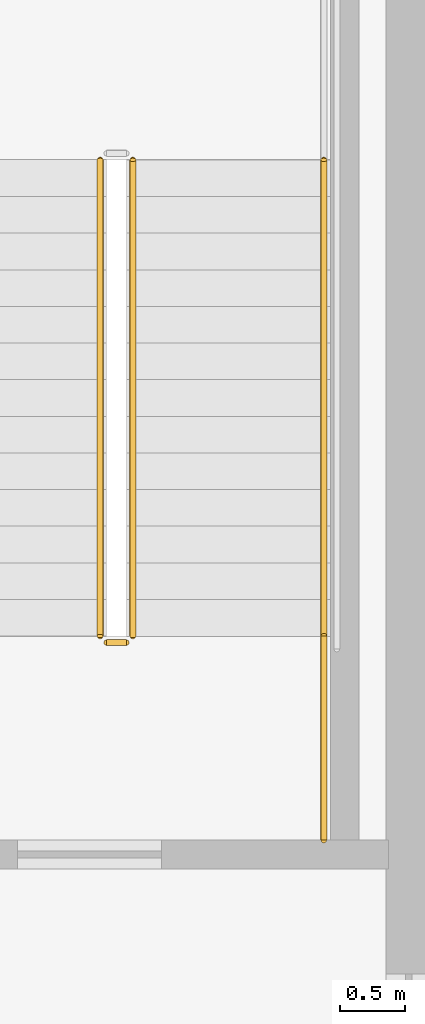
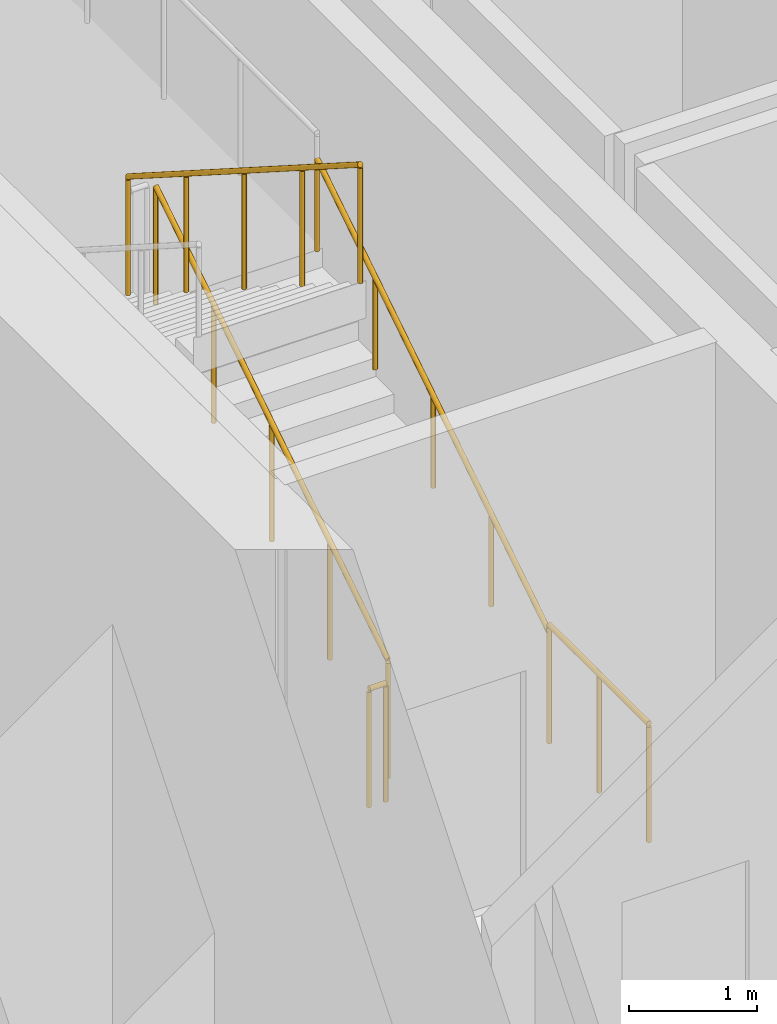
# One storey, part 17 of 21: 5 railings.
"""IFC4 building model written with IfcOpenShell, lengths in metres."""

import ifcopenshell
import ifcopenshell.guid

model = None  # the IFC model being written
_history = None  # IfcOwnerHistory: only IFC2X3 demands one
_inside = {}  # id of a spatial element -> (the spatial element, [elements in it])
_under = {}  # id of a project, library or spatial element -> (it, [spatial elements below it])
_declared = {}  # id of a project -> (the project, [libraries it declares])
_typed = {}  # id of a type object -> (the type object, [elements of that type])
_made_of = {}  # id of a material, layer set ... -> (it, [elements and type objects made of it])


def new_model(schema):
    """Start an empty IFC model of exactly this schema.

    Asked for "IFC4X3", IfcOpenShell would pick the latest addendum, in which some entities
    have other attributes; the version numbers below select the first issue.
    IFC2X3 requires an IfcOwnerHistory on every rooted entity: one is made here for all.
    """
    global model, _history
    if schema == "IFC4X3":
        model = ifcopenshell.file(schema_version=(4, 3, 0, 0))
    else:
        model = ifcopenshell.file(schema=schema)
    _inside.clear()
    _under.clear()
    _declared.clear()
    _typed.clear()
    _made_of.clear()
    _history = None
    if model.schema == "IFC2X3":
        org = make("IfcOrganization", Name="unknown")
        user = make(
            "IfcPersonAndOrganization",
            ThePerson=make("IfcPerson", FamilyName="unknown"),
            TheOrganization=org,
        )
        app = make(
            "IfcApplication",
            ApplicationDeveloper=org,
            Version="unknown",
            ApplicationFullName="unknown",
            ApplicationIdentifier="unknown",
        )
        _history = make(
            "IfcOwnerHistory",
            OwningUser=user,
            OwningApplication=app,
            ChangeAction="ADDED",
            CreationDate=0,
        )
    return model


def make(cls, **values):
    """One entity of the class cls with the attributes given. An attribute that is None is left unset."""
    return model.create_entity(
        cls, **{name: value for name, value in values.items() if value is not None}
    )


def rooted(cls, **values):
    """An entity with a GlobalId (a new one), such as an element, a storey or a relation."""
    return make(cls, GlobalId=ifcopenshell.guid.new(), OwnerHistory=_history, **values)


def si_unit(unit_type, name, prefix=None):
    """IfcSIUnit, for example si_unit("LENGTHUNIT", "METRE", prefix="MILLI")."""
    return make("IfcSIUnit", UnitType=unit_type, Prefix=prefix, Name=name)


def assignment(units):
    """IfcUnitAssignment: the units of a project."""
    return None if units is None else make("IfcUnitAssignment", Units=units)


def point(xyz):
    """IfcCartesianPoint."""
    return None if xyz is None else make("IfcCartesianPoint", Coordinates=xyz)


def direction(xyz):
    """IfcDirection."""
    return None if xyz is None else make("IfcDirection", DirectionRatios=xyz)


def frame(location, z_axis=None, x_axis=None):
    """IfcAxis2Placement3D, a coordinate frame: its origin and axes. An axis left out is left unset."""
    return make(
        "IfcAxis2Placement3D",
        Location=point(location),
        Axis=direction(z_axis),
        RefDirection=direction(x_axis),
    )


def frame_2d(location, x_axis=None):
    """IfcAxis2Placement2D, a coordinate frame in the plane: its origin and x axis."""
    return make(
        "IfcAxis2Placement2D", Location=point(location), RefDirection=direction(x_axis)
    )


def origin():
    """The frame at (0, 0, 0) with its axes left unset."""
    return frame((0.0, 0.0, 0.0))


def origin_2d():
    """The frame at (0, 0) in the plane with its x axis left unset."""
    return frame_2d((0.0, 0.0))


def place(relative_to, where):
    """IfcLocalPlacement: puts the frame where relative to a parent placement (None: the world)."""
    return make(
        "IfcLocalPlacement", PlacementRelTo=relative_to, RelativePlacement=where
    )


def context(
    kind, dimensions, precision=None, world=None, true_north=None, identifier=None
):
    """IfcGeometricRepresentationContext, for example the 3D "Model" context."""
    return make(
        "IfcGeometricRepresentationContext",
        ContextIdentifier=identifier,
        ContextType=kind,
        CoordinateSpaceDimension=dimensions,
        Precision=precision,
        WorldCoordinateSystem=world,
        TrueNorth=true_north,
    )


def subcontext(parent, identifier, kind, view, scale=None):
    """IfcGeometricRepresentationSubContext, for example "Body" below "Model"."""
    return make(
        "IfcGeometricRepresentationSubContext",
        ContextIdentifier=identifier,
        ContextType=kind,
        ParentContext=parent,
        TargetScale=scale,
        TargetView=view,
    )


def project(units=None, contexts=None):
    """IfcProject with its units and contexts."""
    return rooted(
        "IfcProject",
        Name="project",
        RepresentationContexts=contexts,
        UnitsInContext=assignment(units),
    )


def spatial(cls, under=None, at=None, **own):
    """A site, building, storey or space (cls), placed at a placement, below another one or the project."""
    s = rooted(cls, ObjectPlacement=at, **own)
    if under is not None:
        _under.setdefault(under.id(), (under, []))[1].append(s)
    return s


def profile(cls, at=None, kind="AREA", **sizes):
    """A parametric profile (cls). Its sizes go by their IFC names, for example OverallWidth=200.0."""
    return make(cls, ProfileType=kind, Position=at, **sizes)


def circle(**sizes):
    """IfcCircleProfileDef."""
    return profile("IfcCircleProfileDef", **sizes)


def extrude(swept, where, along, depth):
    """IfcExtrudedAreaSolid: the profile swept, set in the frame where, extruded along a direction by depth."""
    return make(
        "IfcExtrudedAreaSolid",
        SweptArea=swept,
        Position=where,
        ExtrudedDirection=direction(along),
        Depth=depth,
    )


def shape(context_of_items, identifier, shape_type, items):
    """IfcShapeRepresentation: the items that make up one representation, for example the "Body"."""
    return make(
        "IfcShapeRepresentation",
        ContextOfItems=context_of_items,
        RepresentationIdentifier=identifier,
        RepresentationType=shape_type,
        Items=items,
    )


def material(Name=None, Category=None):
    """IfcMaterial."""
    return make("IfcMaterial", Name=Name, Category=Category)


def made_of(thing, what):
    """Note that an element or type object is made of a material, layer set ...; save() writes the relation."""
    if what is not None:
        _made_of.setdefault(what.id(), (what, []))[1].append(thing)
    return thing


def type_object(cls, material=None, **own):
    """A type object (cls), such as IfcWallType, which elements share."""
    return made_of(rooted(cls, **own), material)


def element(
    cls,
    number,
    at=None,
    inside=None,
    cuts=None,
    type_object=None,
    material=None,
    context=None,
    identifier="Body",
    shape_type=None,
    held_by="IfcProductDefinitionShape",
    body=None,
    shapes=None,
    **own,
):
    """One element of the class cls, such as IfcWall. Its Tag is "e" and its number.

    at: its placement. inside: the storey or other place that contains it. cuts: it is an
    opening in that element (IfcRelVoidsElement). A single representation is given by context,
    identifier, shape_type and body (its items); several are given by shapes. held_by: the class
    of the entity that holds the representations. save() writes the other relations.
    """
    e = rooted(cls, Tag="e%d" % number, ObjectPlacement=at, **own)
    if body is not None:
        shapes = [shape(context, identifier, shape_type, body)]
    if shapes is not None:
        e.Representation = make(held_by, Representations=shapes)
    if inside is not None:
        _inside.setdefault(inside.id(), (inside, []))[1].append(e)
    if cuts is not None:
        rooted(
            "IfcRelVoidsElement", RelatingBuildingElement=cuts, RelatedOpeningElement=e
        )
    if type_object is not None:
        _typed.setdefault(type_object.id(), (type_object, []))[1].append(e)
    return made_of(e, material)


def aggregate(whole, parts):
    """IfcRelAggregates: a whole, such as a stair, and the parts it consists of."""
    return rooted("IfcRelAggregates", RelatingObject=whole, RelatedObjects=parts)


def save(model, path):
    """Write the relations noted so far, then the file.

    IfcRelAggregates (storeys below a building ...), IfcRelContainedInSpatialStructure (elements
    in a storey), IfcRelDefinesByType, IfcRelAssociatesMaterial and IfcRelDeclares: one each for
    every whole, place, type object, material and project.
    """
    for whole, parts in _under.values():
        aggregate(whole, parts)
    for where, things in _inside.values():
        rooted(
            "IfcRelContainedInSpatialStructure",
            RelatedElements=things,
            RelatingStructure=where,
        )
    for kind, things in _typed.values():
        rooted("IfcRelDefinesByType", RelatedObjects=things, RelatingType=kind)
    for what, things in _made_of.values():
        rooted("IfcRelAssociatesMaterial", RelatedObjects=things, RelatingMaterial=what)
    for by, libraries in _declared.values():
        rooted("IfcRelDeclares", RelatingContext=by, RelatedDefinitions=libraries)
    model.write(path)


model = new_model("IFC4")

# Units and contexts
model_context = context("Model", 3, precision=1e-05, world=origin(), true_north=direction((0.0, 1.0)))
body_context = subcontext(model_context, "Body", "Model", "MODEL_VIEW")
ifc_project = project(units=[si_unit("LENGTHUNIT", "METRE"), si_unit("AREAUNIT", "SQUARE_METRE"), si_unit("VOLUMEUNIT", "CUBIC_METRE"), si_unit("PLANEANGLEUNIT", "RADIAN"), si_unit("MASSUNIT", "GRAM", prefix="KILO")], contexts=[model_context])

# Site, building, storey
site_placement = place(None, origin())
site = spatial("IfcSite", under=ifc_project, at=site_placement, CompositionType="ELEMENT")
building_placement = place(site_placement, origin())
building = spatial("IfcBuilding", under=site, at=building_placement, Name="Khairoan Windgate Tower", CompositionType="ELEMENT")
storey_placement = place(building_placement, frame((0.0, 0.0, 21.0)))
storey = spatial("IfcBuildingStorey", under=building, at=storey_placement, Name="L05", CompositionType="ELEMENT", Elevation=21.0)

# Railings
ifc_material_1 = material(Name="Anodised Bronze Aluminium 6063-T6", Category="aluminium")
railing_type_1 = type_object("IfcRailingType", Name="Stair Wall Handrail SHR-900", PredefinedType="HANDRAIL", material=ifc_material_1)
railing_1_placement = place(storey_placement, frame((-16.199951171875, 2.9599609375, 0.178466796875)))
element("IfcRailing", 1, at=railing_1_placement, inside=storey, type_object=railing_type_1, Name="L05 ST2 stair handrail 1", PredefinedType="HANDRAIL", context=body_context, shape_type="SweptSolid", body=[
    extrude(circle(Radius=0.02392578125, at=origin_2d()), frame((0.0, 0.0, 0.8759765625), z_axis=(0.0, 0.843127859045, 0.537713132908), x_axis=(-1.0, 0.0, 0.0)), (0.0, 0.0, 1.0), 4.3173828125),
    extrude(circle(Radius=0.02099609375, at=origin_2d()), origin(), (0.0, 0.0, 1.0), 0.851806640625),
    extrude(circle(Radius=0.02099609375, at=origin_2d()), frame((0.0, 0.91015625, 0.580322265625)), (0.0, 0.0, 1.0), 0.851806640625),
    extrude(circle(Radius=0.02099609375, at=origin_2d()), frame((0.0, 1.820068359375, 1.16064453125)), (0.0, 0.0, 1.0), 0.851806640625),
    extrude(circle(Radius=0.02099609375, at=origin_2d()), frame((0.0, 2.72998046875, 1.7412109375)), (0.0, 0.0, 1.0), 0.851806640625),
    extrude(circle(Radius=0.02099609375, at=origin_2d()), frame((0.0, 3.64013671875, 2.321533203125)), (0.0, 0.0, 1.0), 0.851806640625),
])
ifc_material_2 = material(Name="Steel S355", Category="steel")
railing_type_2 = type_object("IfcRailingType", Name="Stairwell Safety Guardrail SGR-1150", PredefinedType="GUARDRAIL", material=ifc_material_2)
railing_2_placement = place(storey_placement, frame((-17.659912109375, 2.9599609375, 0.178466796875)))
element("IfcRailing", 2, at=railing_2_placement, inside=storey, type_object=railing_type_2, Name="L05 ST2 stair guard 1", PredefinedType="GUARDRAIL", context=body_context, shape_type="SweptSolid", body=[
    extrude(circle(Radius=0.02392578125, at=origin_2d()), frame((0.0, 0.0, 1.1259765625), z_axis=(0.0, 0.843127859045, 0.537713132908), x_axis=(-1.0, 0.0, 0.0)), (0.0, 0.0, 1.0), 4.3173828125),
    extrude(circle(Radius=0.02099609375, at=origin_2d()), origin(), (0.0, 0.0, 1.0), 1.101806640625),
    extrude(circle(Radius=0.02099609375, at=origin_2d()), frame((0.0, 0.91015625, 0.580322265625)), (0.0, 0.0, 1.0), 1.101806640625),
    extrude(circle(Radius=0.02099609375, at=origin_2d()), frame((0.0, 1.820068359375, 1.16064453125)), (0.0, 0.0, 1.0), 1.101806640625),
    extrude(circle(Radius=0.02099609375, at=origin_2d()), frame((0.0, 2.72998046875, 1.7412109375)), (0.0, 0.0, 1.0), 1.101806640625),
    extrude(circle(Radius=0.02099609375, at=origin_2d()), frame((0.0, 3.64013671875, 2.321533203125)), (0.0, 0.0, 1.0), 1.101806640625),
])
railing_3_placement = place(storey_placement, frame((-17.909912109375, 6.60009765625, 2.678466796875)))
element("IfcRailing", 3, at=railing_3_placement, inside=storey, type_object=railing_type_2, Name="L05 ST2 stair guard 6", PredefinedType="GUARDRAIL", context=body_context, shape_type="SweptSolid", body=[
    extrude(circle(Radius=0.02392578125, at=origin_2d()), frame((0.0, 0.0, 1.1259765625), z_axis=(0.0, -0.843127859045, 0.537713132908), x_axis=(1.0, 0.0, 0.0)), (0.0, 0.0, 1.0), 4.3173828125),
    extrude(circle(Radius=0.02099609375, at=origin_2d()), origin(), (0.0, 0.0, 1.0), 1.101806640625),
    extrude(circle(Radius=0.02099609375, at=origin_2d()), frame((0.0, -0.91015625, 0.580322265625)), (0.0, 0.0, 1.0), 1.101806640625),
    extrude(circle(Radius=0.02099609375, at=origin_2d()), frame((0.0, -1.820068359375, 1.16064453125)), (0.0, 0.0, 1.0), 1.101806640625),
    extrude(circle(Radius=0.02099609375, at=origin_2d()), frame((0.0, -2.72998046875, 1.7412109375)), (0.0, 0.0, 1.0), 1.101806640625),
    extrude(circle(Radius=0.02099609375, at=origin_2d()), frame((0.0, -3.64013671875, 2.321533203125)), (0.0, 0.0, 1.0), 1.101806640625),
])
railing_4_placement = place(storey_placement, frame((-17.7099609375, 2.909912109375, 0.0)))
element("IfcRailing", 4, at=railing_4_placement, inside=storey, type_object=railing_type_2, Name="L05 ST2 stair guard 7", PredefinedType="GUARDRAIL", context=body_context, shape_type="SweptSolid", body=[
    extrude(circle(Radius=0.02392578125, at=origin_2d()), frame((0.0, 0.0, 1.1259765625), z_axis=(-1.0, 0.0, 0.0), x_axis=(0.0, -1.0, 0.0)), (0.0, 0.0, 1.0), 0.150146484375),
    extrude(circle(Radius=0.02099609375, at=origin_2d()), origin(), (0.0, 0.0, 1.0), 1.101806640625),
    extrude(circle(Radius=0.02099609375, at=origin_2d()), frame((-0.150146484375, 0.0, 0.0)), (0.0, 0.0, 1.0), 1.101806640625),
])
railing_5_placement = place(storey_placement, frame((-16.199951171875, 1.39990234375, 0.0)))
element("IfcRailing", 5, at=railing_5_placement, inside=storey, type_object=railing_type_2, Name="L05 ST2 stair guard 8", PredefinedType="GUARDRAIL", context=body_context, shape_type="SweptSolid", body=[
    extrude(circle(Radius=0.02392578125, at=origin_2d()), frame((0.0, 0.0, 1.1259765625), z_axis=(0.0, 1.0, 0.0), x_axis=(-1.0, 0.0, 0.0)), (0.0, 0.0, 1.0), 1.56005859375),
    extrude(circle(Radius=0.02099609375, at=origin_2d()), origin(), (0.0, 0.0, 1.0), 1.101806640625),
    extrude(circle(Radius=0.02099609375, at=origin_2d()), frame((0.0, 0.780029296875, 0.0)), (0.0, 0.0, 1.0), 1.101806640625),
    extrude(circle(Radius=0.02099609375, at=origin_2d()), frame((0.0, 1.56005859375, 0.0)), (0.0, 0.0, 1.0), 1.101806640625),
])

save(model, "model.ifc")
